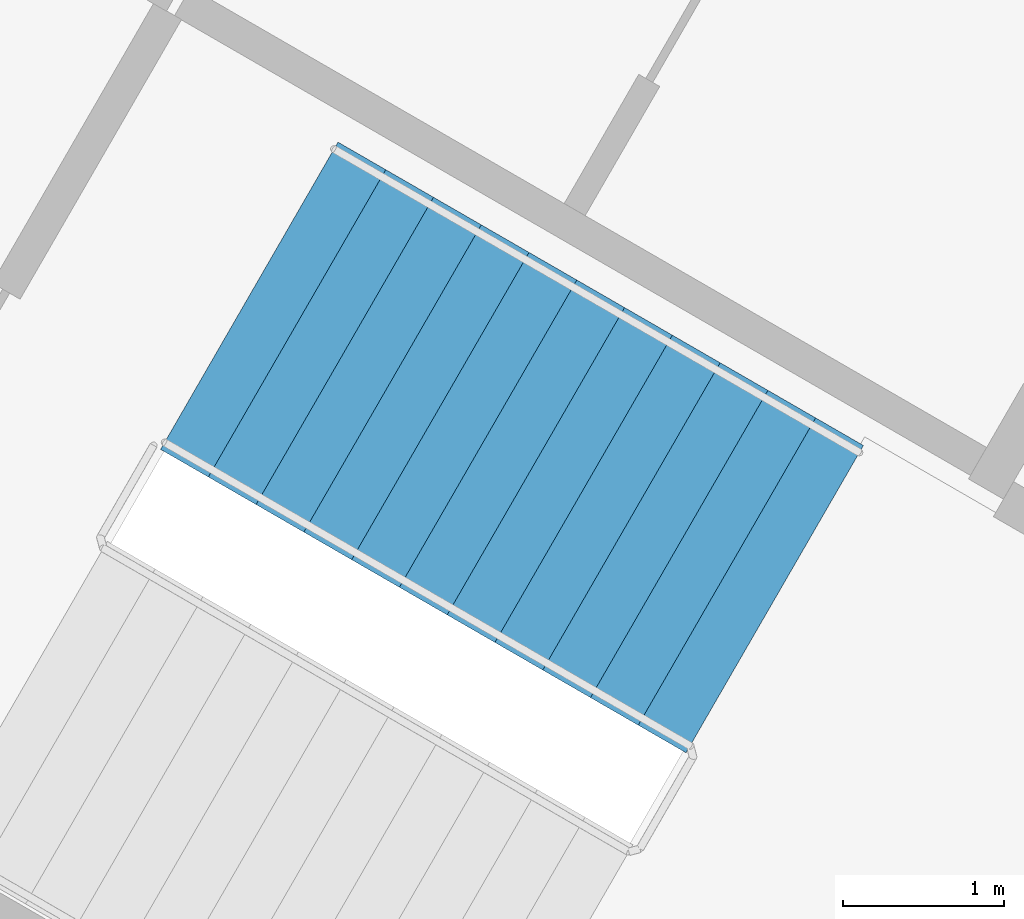
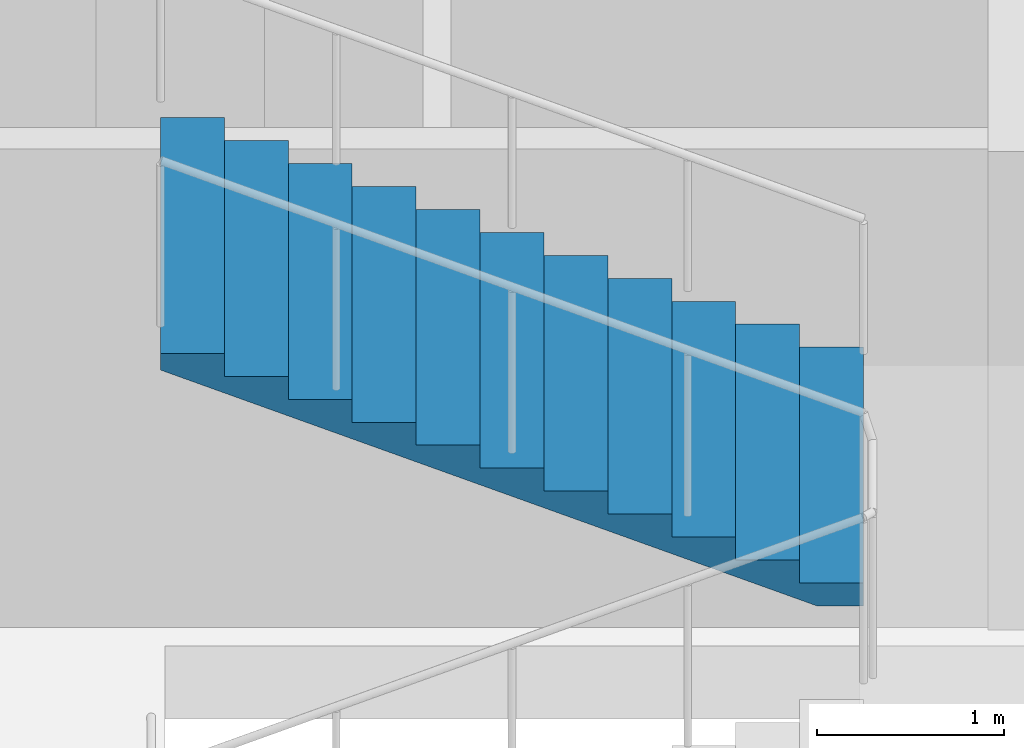
# One storey, part 11 of 15: 1 stair flight, 1 element without a shape of its own.
"""IFC4 building model written with IfcOpenShell, lengths in metres."""

from ifc_helpers import new_model, si_unit, direction, frame, origin, place, context, subcontext, project, spatial, polyline, outline, extrude, material, type_object, element, aggregate, save


model = new_model("IFC4")

# Units and contexts
model_context = context("Model", 3, precision=1e-05, world=origin(), true_north=direction((0.0, 1.0)))
body_context = subcontext(model_context, "Body", "Model", "MODEL_VIEW")
ifc_project = project(units=[si_unit("LENGTHUNIT", "METRE"), si_unit("AREAUNIT", "SQUARE_METRE"), si_unit("VOLUMEUNIT", "CUBIC_METRE"), si_unit("PLANEANGLEUNIT", "RADIAN"), si_unit("MASSUNIT", "GRAM", prefix="KILO")], contexts=[model_context])

# Site, building, storey
site_placement = place(None, origin())
site = spatial("IfcSite", under=ifc_project, at=site_placement, CompositionType="ELEMENT")
building_placement = place(site_placement, origin())
building = spatial("IfcBuilding", under=site, at=building_placement, Name="Tamra Quay Hotel Tower", CompositionType="ELEMENT")
storey_placement = place(building_placement, frame((0.0, 0.0, 67.39990234375)))
storey = spatial("IfcBuildingStorey", under=building, at=storey_placement, Name="L15", CompositionType="ELEMENT", Elevation=67.39990234375)

# Stair, stair flight
ifc_material_1 = material(Name="Exit stair 2200 24 risers 150.0 going 342")
stair_type = type_object("IfcStairType", Name="Exit stair 2200 24 risers 150.0 going 342", PredefinedType="HALF_TURN_STAIR", material=ifc_material_1)
stair_placement = place(storey_placement, origin())
stair = element("IfcStair", 1, at=stair_placement, inside=storey, type_object=stair_type, Name="L15 Exit stair ST1", PredefinedType="HALF_TURN_STAIR")
ifc_material_2 = material(Name="Exit stair flight 2200 12 risers 150.0")
stair_flight_type = type_object("IfcStairFlightType", Name="Exit stair flight 2200 12 risers 150.0", PredefinedType="STRAIGHT", material=ifc_material_2)
stair_flight_placement = place(storey_placement, frame((9.44677734375, 11.798583984375, 1.800048828125), z_axis=(0.0, 0.0, 1.0), x_axis=(-0.866025403784, 0.5, 0.0)))
stair_flight = element("IfcStairFlight", 2, at=stair_flight_placement, type_object=stair_flight_type, Name="ST1 flight 2", NumberOfRisers=12, NumberOfTreads=11, PredefinedType="STRAIGHT", RiserHeight=0.15, TreadLength=0.342, context=body_context, shape_type="SweptSolid", body=[
    extrude(outline(polyline([(0.0, 0.0), (0.0, 0.14990234375), (0.342041015625, 0.14990234375), (0.342041015625, 0.300048828125), (0.68408203125, 0.300048828125), (0.68408203125, 0.449951171875), (1.02587890625, 0.449951171875), (1.02587890625, 0.60009765625), (1.367919921875, 0.60009765625), (1.367919921875, 0.75), (1.7099609375, 0.75), (1.7099609375, 0.89990234375), (2.052001953125, 0.89990234375), (2.052001953125, 1.050048828125), (2.39404296875, 1.050048828125), (2.39404296875, 1.199951171875), (2.736083984375, 1.199951171875), (2.736083984375, 1.35009765625), (3.077880859375, 1.35009765625), (3.077880859375, 1.5), (3.419921875, 1.5), (3.419921875, 1.64990234375), (3.761962890625, 1.64990234375), (3.761962890625, 1.800048828125), (3.761962890625, 1.540771484375), (0.249267578125, 0.0), (0.0, 0.0)])), frame((0.0, 1.10009765625, 0.0), z_axis=(0.0, -1.0, 0.0), x_axis=(1.0, 0.0, 0.0)), (0.0, 0.0, 1.0), 2.199951171875),
])
aggregate(stair, [stair_flight])

save(model, "model.ifc")
